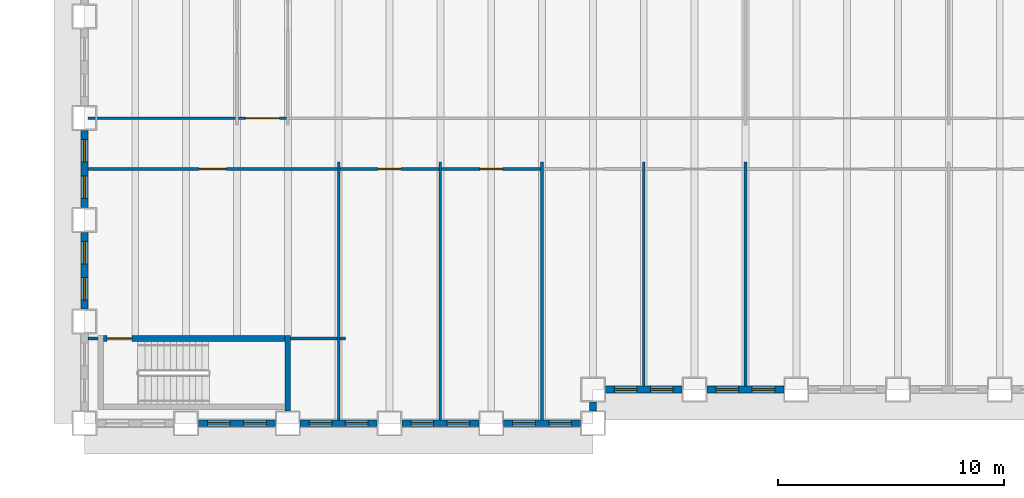
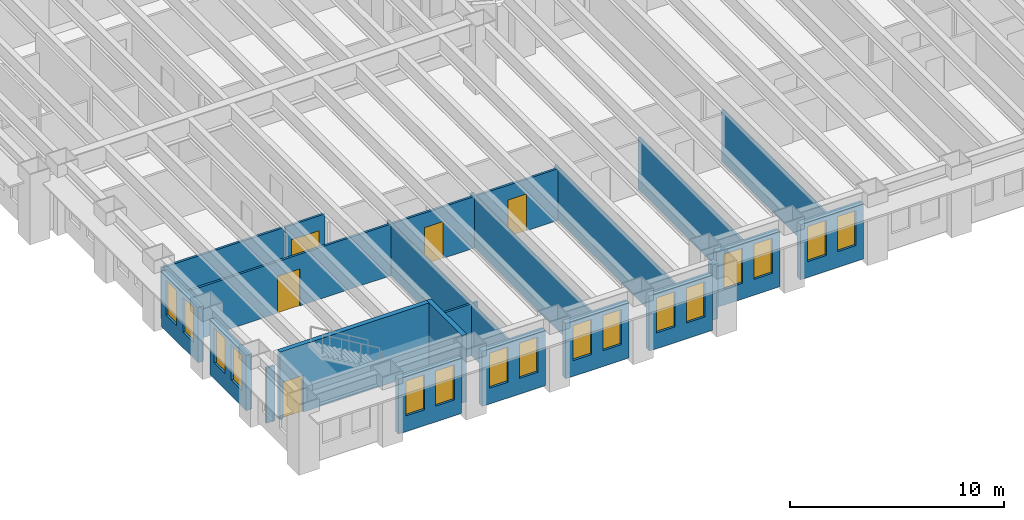
# One storey, part 3 of 16: 24 walls, 16 windows, 5 doors, 21 openings.
"""IFC4 building model written with IfcOpenShell, lengths in metres."""

from ifc_helpers import new_model, si_unit, direction, frame, frame_2d, origin, place, context, subcontext, project, spatial, rectangle, extrude, material, layer, layer_set, type_object, element, fill, save


model = new_model("IFC4")

# Units and contexts
model_context = context("Model", 3, precision=1e-05, world=origin(), true_north=direction((0.0, 1.0)))
body_context = subcontext(model_context, "Body", "Model", "MODEL_VIEW")
ifc_project = project(units=[si_unit("LENGTHUNIT", "METRE"), si_unit("AREAUNIT", "SQUARE_METRE"), si_unit("VOLUMEUNIT", "CUBIC_METRE"), si_unit("PLANEANGLEUNIT", "RADIAN"), si_unit("MASSUNIT", "GRAM", prefix="KILO")], contexts=[model_context])

# Site, building, storey
site_placement = place(None, origin())
site = spatial("IfcSite", under=ifc_project, at=site_placement, CompositionType="ELEMENT")
building_placement = place(site_placement, origin())
building = spatial("IfcBuilding", under=site, at=building_placement, Name="Sennacour Bend Tower", CompositionType="ELEMENT")
storey_placement = place(building_placement, frame((0.0, 0.0, 45.0)))
storey = spatial("IfcBuildingStorey", under=building, at=storey_placement, Name="L09", CompositionType="ELEMENT", Elevation=45.0)

# Walls
ifc_material_1 = material(Name="Plasterboard partition on steel studs", Category="steel")
ifc_layer_1 = layer(ifc_material_1, 0.1201171875, Name="Plasterboard partition on steel studs", Category="steel")
ifc_layer_set_1 = layer_set([ifc_layer_1], Name="Plasterboard partition on steel studs")
wall_type_1 = type_object("IfcWallType", Name="Partition 120", PredefinedType="PARTITIONING", material=ifc_layer_set_1)
for number, where, z_axis, x_axis, name in (
    (1, (11.25, 0.14990234375, 0.0), (0.0, 0.0, 1.0), (0.0, 1.0, 0.0), "P-L09-W014a"),
    (2, (15.75, 0.14990234375, 0.0), (0.0, 0.0, 1.0), (0.0, 1.0, 0.0), "P-L09-W019a"),
    (3, (20.25, 0.14990234375, 0.0), (0.0, 0.0, 1.0), (0.0, 1.0, 0.0), "P-L09-W023a"),
):
    element("IfcWall", number, at=place(storey_placement, frame(where, z_axis=z_axis, x_axis=x_axis)), inside=storey, type_object=wall_type_1, Name=name, PredefinedType="PARTITIONING", context=body_context, shape_type="SweptSolid", body=[
        extrude(rectangle(XDim=11.400146484375, YDim=0.1201171875, at=frame_2d((5.7001953125, 0.0))), origin(), (0.0, 0.0, 1.0), 2.93798828125),
    ])
for number, where, z_axis, x_axis, name in (
    (4, (24.75, 1.64990234375, 0.0), (0.0, 0.0, 1.0), (0.0, 1.0, 0.0), "P-L09-W025a"),
    (5, (29.25, 1.64990234375, 0.0), (0.0, 0.0, 1.0), (0.0, 1.0, 0.0), "P-L09-W026a"),
):
    element("IfcWall", number, at=place(storey_placement, frame(where, z_axis=z_axis, x_axis=x_axis)), inside=storey, type_object=wall_type_1, Name=name, PredefinedType="PARTITIONING", context=body_context, shape_type="SweptSolid", body=[
        extrude(rectangle(XDim=9.900146484375, YDim=0.1201171875, at=frame_2d((4.9501953125, 0.0))), origin(), (0.0, 0.0, 1.0), 2.93798828125),
    ])
wall_1_placement = place(storey_placement, frame((0.14990234375, 3.75, 0.0), z_axis=(0.0, 0.0, 1.0), x_axis=(1.0, 0.0, 0.0)))
element("IfcWall", 6, at=wall_1_placement, inside=storey, type_object=wall_type_1, Name="P-L09-W052a", PredefinedType="PARTITIONING", context=body_context, shape_type="SweptSolid", body=[
    extrude(rectangle(XDim=0.4501953125, YDim=0.1201171875, at=frame_2d((0.22509765625, 0.0))), origin(), (0.0, 0.0, 1.0), 3.14404296875),
])
wall_2_placement = place(storey_placement, frame((9.125, 3.75, 0.0), z_axis=(0.0, 0.0, 1.0), x_axis=(1.0, 0.0, 0.0)))
element("IfcWall", 7, at=wall_2_placement, inside=storey, type_object=wall_type_1, Name="P-L09-W054aa", PredefinedType="PARTITIONING", context=body_context, shape_type="SweptSolid", body=[
    extrude(rectangle(XDim=2.06494140625, YDim=0.1201171875, at=frame_2d((1.032470703125, 0.0))), origin(), (0.0, 0.0, 1.0), 2.93798828125),
])
wall_3_placement = place(storey_placement, frame((11.31005859375, 3.75, 0.0), z_axis=(0.0, 0.0, 1.0), x_axis=(1.0, 0.0, 0.0)))
element("IfcWall", 8, at=wall_3_placement, inside=storey, type_object=wall_type_1, Name="P-L09-W054ab", PredefinedType="PARTITIONING", context=body_context, shape_type="SweptSolid", body=[
    extrude(rectangle(XDim=0.239990234375, YDim=0.1201171875, at=frame_2d((0.1201171875, 0.0))), origin(), (0.0, 0.0, 1.0), 2.93798828125),
])

# Wall, opening, door
wall_4_placement = place(storey_placement, frame((11.31005859375, 11.25, 0.0), z_axis=(0.0, 0.0, 1.0), x_axis=(1.0, 0.0, 0.0)))
wall_4 = element("IfcWall", 9, at=wall_4_placement, inside=storey, type_object=wall_type_1, Name="P-L09-W059ab", PredefinedType="PARTITIONING", context=body_context, shape_type="SweptSolid", body=[
    extrude(rectangle(XDim=4.3798828125, YDim=0.1201171875, at=frame_2d((2.18994140625, 0.0))), origin(), (0.0, 0.0, 1.0), 2.93798828125),
])
opening_1_placement = place(wall_4_placement, frame((1.68994140625, 0.0, 0.0)))
opening_1 = element("IfcOpeningElement", 10, at=opening_1_placement, cuts=wall_4, Name="Opening MD2", PredefinedType="OPENING", context=body_context, shape_type="SweptSolid", body=[
    extrude(rectangle(XDim=1.0, YDim=2.10009765625, at=frame_2d((0.5, 1.050048828125))), frame((0.0, 0.070068359375, 0.0), z_axis=(0.0, -1.0, 0.0), x_axis=(1.0, 0.0, 0.0)), (0.0, 0.0, 1.0), 0.14013671875),
])
ifc_material_2 = material(Name="Timber", Category="wood")
door_type_1 = type_object("IfcDoorType", Name="DR-MEETING-1000", OperationType="NOTDEFINED", PredefinedType="DOOR", material=ifc_material_2)
door_1_placement = place(opening_1_placement, origin())
door_1 = element("IfcDoor", 11, at=door_1_placement, inside=storey, type_object=door_type_1, Name="Door", OperationType="SINGLE_SWING_LEFT", OverallHeight=2.10009765625, OverallWidth=1.0, PredefinedType="DOOR", context=body_context, shape_type="SweptSolid", body=[
    extrude(rectangle(XDim=1.0, YDim=2.10009765625, at=frame_2d((0.5, 1.050048828125))), frame((0.0, 0.02490234375, 0.0), z_axis=(0.0, -1.0, 0.0), x_axis=(1.0, 0.0, 0.0)), (0.0, 0.0, 1.0), 0.050048828125),
])
fill(opening_1, door_1)

wall_5_placement = place(storey_placement, frame((15.81005859375, 11.25, 0.0), z_axis=(0.0, 0.0, 1.0), x_axis=(1.0, 0.0, 0.0)))
wall_5 = element("IfcWall", 12, at=wall_5_placement, inside=storey, type_object=wall_type_1, Name="P-L09-W059ac", PredefinedType="PARTITIONING", context=body_context, shape_type="SweptSolid", body=[
    extrude(rectangle(XDim=4.3798828125, YDim=0.1201171875, at=frame_2d((2.18994140625, 0.0))), origin(), (0.0, 0.0, 1.0), 2.93798828125),
])
opening_2_placement = place(wall_5_placement, frame((1.68994140625, 0.0, 0.0)))
opening_2 = element("IfcOpeningElement", 13, at=opening_2_placement, cuts=wall_5, Name="Opening OD2", PredefinedType="OPENING", context=body_context, shape_type="SweptSolid", body=[
    extrude(rectangle(XDim=1.0, YDim=2.10009765625, at=frame_2d((0.5, 1.050048828125))), frame((0.0, 0.070068359375, 0.0), z_axis=(0.0, -1.0, 0.0), x_axis=(1.0, 0.0, 0.0)), (0.0, 0.0, 1.0), 0.14013671875),
])
door_type_2 = type_object("IfcDoorType", Name="DR-OFFICE-1000", OperationType="NOTDEFINED", PredefinedType="DOOR", material=ifc_material_2)
door_2_placement = place(opening_2_placement, origin())
door_2 = element("IfcDoor", 14, at=door_2_placement, inside=storey, type_object=door_type_2, Name="Door", OperationType="SINGLE_SWING_LEFT", OverallHeight=2.10009765625, OverallWidth=1.0, PredefinedType="DOOR", context=body_context, shape_type="SweptSolid", body=[
    extrude(rectangle(XDim=1.0, YDim=2.10009765625, at=frame_2d((0.5, 1.050048828125))), frame((0.0, 0.02490234375, 0.0), z_axis=(0.0, -1.0, 0.0), x_axis=(1.0, 0.0, 0.0)), (0.0, 0.0, 1.0), 0.050048828125),
])
fill(opening_2, door_2)

# Wall
wall_6_placement = place(storey_placement, frame((0.14990234375, 13.5, 0.0), z_axis=(0.0, 0.0, 1.0), x_axis=(1.0, 0.0, 0.0)))
element("IfcWall", 15, at=wall_6_placement, inside=storey, type_object=wall_type_1, Name="P-L09-W061aa", PredefinedType="PARTITIONING", context=body_context, shape_type="SweptSolid", body=[
    extrude(rectangle(XDim=6.5400390625, YDim=0.1201171875, at=frame_2d((3.27001953125, 0.0))), origin(), (0.0, 0.0, 1.0), 2.93798828125),
])

# Wall, opening, door
ifc_layer_2 = layer(ifc_material_1, 0.1201171875, Name="Plasterboard partition on steel studs", Category="steel")
ifc_layer_set_2 = layer_set([ifc_layer_2], Name="Plasterboard partition on steel studs")
wall_type_2 = type_object("IfcWallType", Name="Partition 120 EI 30", PredefinedType="PARTITIONING", material=ifc_layer_set_2)
wall_7_placement = place(storey_placement, frame((0.14990234375, 11.25, 0.0), z_axis=(0.0, 0.0, 1.0), x_axis=(1.0, 0.0, 0.0)))
wall_7 = element("IfcWall", 16, at=wall_7_placement, inside=storey, type_object=wall_type_2, Name="P-L09-W059aa", PredefinedType="PARTITIONING", context=body_context, shape_type="SweptSolid", body=[
    extrude(rectangle(XDim=11.0400390625, YDim=0.1201171875, at=frame_2d((5.52001953125, 0.0))), origin(), (0.0, 0.0, 1.0), 2.93798828125),
])
opening_3_placement = place(wall_7_placement, frame((4.93017578125, 0.0, 0.0)))
opening_3 = element("IfcOpeningElement", 17, at=opening_3_placement, cuts=wall_7, Name="Opening KD2", PredefinedType="OPENING", context=body_context, shape_type="SweptSolid", body=[
    extrude(rectangle(XDim=1.199951171875, YDim=2.10009765625, at=frame_2d((0.60009765625, 1.050048828125))), frame((0.0, 0.070068359375, 0.0), z_axis=(0.0, -1.0, 0.0), x_axis=(1.0, 0.0, 0.0)), (0.0, 0.0, 1.0), 0.14013671875),
])
ifc_material_3 = material(Name="Painted steel", Category="steel")
door_type_3 = type_object("IfcDoorType", Name="DR-CORRIDOR-1200", OperationType="NOTDEFINED", PredefinedType="DOOR", material=ifc_material_3)
door_3_placement = place(opening_3_placement, origin())
door_3 = element("IfcDoor", 18, at=door_3_placement, inside=storey, type_object=door_type_3, Name="Door", OperationType="SINGLE_SWING_LEFT", OverallHeight=2.10009765625, OverallWidth=1.199951171875, PredefinedType="DOOR", context=body_context, shape_type="SweptSolid", body=[
    extrude(rectangle(XDim=1.199951171875, YDim=2.10009765625, at=frame_2d((0.60009765625, 1.050048828125))), frame((0.0, 0.02490234375, 0.0), z_axis=(0.0, -1.0, 0.0), x_axis=(1.0, 0.0, 0.0)), (0.0, 0.0, 1.0), 0.050048828125),
])
fill(opening_3, door_3)

wall_8_placement = place(storey_placement, frame((6.81005859375, 13.5, 0.0), z_axis=(0.0, 0.0, 1.0), x_axis=(1.0, 0.0, 0.0)))
wall_8 = element("IfcWall", 19, at=wall_8_placement, inside=storey, type_object=wall_type_2, Name="P-L09-W061ab", PredefinedType="PARTITIONING", context=body_context, shape_type="SweptSolid", body=[
    extrude(rectangle(XDim=2.1298828125, YDim=0.1201171875, at=frame_2d((1.06494140625, 0.0))), origin(), (0.0, 0.0, 1.0), 2.93798828125),
])
opening_4_placement = place(wall_8_placement, frame((0.31494140625, 0.0, 0.0)))
opening_4 = element("IfcOpeningElement", 20, at=opening_4_placement, cuts=wall_8, Name="Opening KD", PredefinedType="OPENING", context=body_context, shape_type="SweptSolid", body=[
    extrude(rectangle(XDim=1.5, YDim=2.10009765625, at=frame_2d((0.75, 1.050048828125))), frame((0.0, 0.070068359375, 0.0), z_axis=(0.0, -1.0, 0.0), x_axis=(1.0, 0.0, 0.0)), (0.0, 0.0, 1.0), 0.14013671875),
])
door_type_4 = type_object("IfcDoorType", Name="DR-CORRIDOR-1500", OperationType="NOTDEFINED", PredefinedType="DOOR", material=ifc_material_3)
door_4_placement = place(opening_4_placement, origin())
door_4 = element("IfcDoor", 21, at=door_4_placement, inside=storey, type_object=door_type_4, Name="Door", OperationType="SINGLE_SWING_LEFT", OverallHeight=2.10009765625, OverallWidth=1.5, PredefinedType="DOOR", context=body_context, shape_type="SweptSolid", body=[
    extrude(rectangle(XDim=1.5, YDim=2.10009765625, at=frame_2d((0.75, 1.050048828125))), frame((0.0, 0.02490234375, 0.0), z_axis=(0.0, -1.0, 0.0), x_axis=(1.0, 0.0, 0.0)), (0.0, 0.0, 1.0), 0.050048828125),
])
fill(opening_4, door_4)

# Wall, openings, windows
ifc_material_4 = material(Name="Warm limestone cladding", Category="masonry")
ifc_layer_3 = layer(ifc_material_4, 0.050048828125, Name="Warm limestone cladding", Category="masonry")
ifc_material_5 = material(Name="Precast concrete C40/50", Category="concrete")
ifc_layer_4 = layer(ifc_material_5, 0.25, Name="Precast concrete C40/50", Category="concrete")
ifc_layer_set_3 = layer_set([ifc_layer_3, ifc_layer_4], Name="Precast concrete C40/50 with limestone cladding")
wall_type_3 = type_object("IfcWallType", Name="STONE-CLAD PRECAST SPANDREL 300", PredefinedType="STANDARD", material=ifc_layer_set_3)
wall_9_placement = place(storey_placement, frame((5.050048828125, 0.0, 0.0), z_axis=(0.0, 0.0, 1.0), x_axis=(1.0, 0.0, 0.0)))
wall_9 = element("IfcWall", 22, at=wall_9_placement, inside=storey, type_object=wall_type_3, Name="Stone spandrel and pier wall L09 00.01", PredefinedType="STANDARD", context=body_context, shape_type="SweptSolid", body=[
    extrude(rectangle(XDim=3.39990234375, YDim=0.300048828125, at=frame_2d((1.699951171875, 0.0))), origin(), (0.0, 0.0, 1.0), 3.14404296875),
])
opening_5_placement = place(wall_9_placement, frame((0.39990234375, 0.0, 0.89990234375)))
opening_5 = element("IfcOpeningElement", 23, at=opening_5_placement, cuts=wall_9, Name="Opening W8", PredefinedType="OPENING", context=body_context, shape_type="SweptSolid", body=[
    extrude(rectangle(XDim=1.0, YDim=2.0, at=frame_2d((0.5, 1.0))), frame((0.0, 0.16015625, 0.0), z_axis=(0.0, -1.0, 0.0), x_axis=(1.0, 0.0, 0.0)), (0.0, 0.0, 1.0), 0.320068359375),
])
opening_6_placement = place(wall_9_placement, frame((2.0, 0.0, 0.89990234375)))
opening_6 = element("IfcOpeningElement", 24, at=opening_6_placement, cuts=wall_9, Name="Opening W8", PredefinedType="OPENING", context=body_context, shape_type="SweptSolid", body=[
    extrude(rectangle(XDim=1.0, YDim=2.0, at=frame_2d((0.5, 1.0))), frame((0.0, 0.16015625, 0.0), z_axis=(0.0, -1.0, 0.0), x_axis=(1.0, 0.0, 0.0)), (0.0, 0.0, 1.0), 0.320068359375),
])
ifc_material_6 = material(Name="Clear low-emissivity glass", Category="glass")
window_type = type_object("IfcWindowType", Name="WIN-RIBBON-1000x2000", PartitioningType="SINGLE_PANEL", PredefinedType="WINDOW", material=ifc_material_6)
window_1_placement = place(opening_5_placement, origin())
window_1 = element("IfcWindow", 25, at=window_1_placement, inside=storey, type_object=window_type, Name="Ribbon window L09 00.01.0", OverallHeight=2.0, OverallWidth=1.0, PartitioningType="SINGLE_PANEL", PredefinedType="WINDOW", context=body_context, shape_type="SweptSolid", body=[
    extrude(rectangle(XDim=1.0, YDim=2.0, at=frame_2d((0.5, 1.0))), frame((0.0, 0.030029296875, 0.0), z_axis=(0.0, -1.0, 0.0), x_axis=(1.0, 0.0, 0.0)), (0.0, 0.0, 1.0), 0.06005859375),
])
fill(opening_5, window_1)
window_2_placement = place(opening_6_placement, origin())
window_2 = element("IfcWindow", 26, at=window_2_placement, inside=storey, type_object=window_type, Name="Ribbon window L09 00.01.1", OverallHeight=2.0, OverallWidth=1.0, PartitioningType="SINGLE_PANEL", PredefinedType="WINDOW", context=body_context, shape_type="SweptSolid", body=[
    extrude(rectangle(XDim=1.0, YDim=2.0, at=frame_2d((0.5, 1.0))), frame((0.0, 0.030029296875, 0.0), z_axis=(0.0, -1.0, 0.0), x_axis=(1.0, 0.0, 0.0)), (0.0, 0.0, 1.0), 0.06005859375),
])
fill(opening_6, window_2)

wall_10_placement = place(storey_placement, frame((9.550048828125, 0.0, 0.0), z_axis=(0.0, 0.0, 1.0), x_axis=(1.0, 0.0, 0.0)))
wall_10 = element("IfcWall", 27, at=wall_10_placement, inside=storey, type_object=wall_type_3, Name="Stone spandrel and pier wall L09 00.02", PredefinedType="STANDARD", context=body_context, shape_type="SweptSolid", body=[
    extrude(rectangle(XDim=3.39990234375, YDim=0.300048828125, at=frame_2d((1.699951171875, 0.0))), origin(), (0.0, 0.0, 1.0), 3.14404296875),
])
opening_7_placement = place(wall_10_placement, frame((0.39990234375, 0.0, 0.89990234375)))
opening_7 = element("IfcOpeningElement", 28, at=opening_7_placement, cuts=wall_10, Name="Opening W8", PredefinedType="OPENING", context=body_context, shape_type="SweptSolid", body=[
    extrude(rectangle(XDim=1.0, YDim=2.0, at=frame_2d((0.5, 1.0))), frame((0.0, 0.16015625, 0.0), z_axis=(0.0, -1.0, 0.0), x_axis=(1.0, 0.0, 0.0)), (0.0, 0.0, 1.0), 0.320068359375),
])
opening_8_placement = place(wall_10_placement, frame((2.0, 0.0, 0.89990234375)))
opening_8 = element("IfcOpeningElement", 29, at=opening_8_placement, cuts=wall_10, Name="Opening W8", PredefinedType="OPENING", context=body_context, shape_type="SweptSolid", body=[
    extrude(rectangle(XDim=1.0, YDim=2.0, at=frame_2d((0.5, 1.0))), frame((0.0, 0.16015625, 0.0), z_axis=(0.0, -1.0, 0.0), x_axis=(1.0, 0.0, 0.0)), (0.0, 0.0, 1.0), 0.320068359375),
])
window_3_placement = place(opening_7_placement, origin())
window_3 = element("IfcWindow", 30, at=window_3_placement, inside=storey, type_object=window_type, Name="Ribbon window L09 00.02.0", OverallHeight=2.0, OverallWidth=1.0, PartitioningType="SINGLE_PANEL", PredefinedType="WINDOW", context=body_context, shape_type="SweptSolid", body=[
    extrude(rectangle(XDim=1.0, YDim=2.0, at=frame_2d((0.5, 1.0))), frame((0.0, 0.030029296875, 0.0), z_axis=(0.0, -1.0, 0.0), x_axis=(1.0, 0.0, 0.0)), (0.0, 0.0, 1.0), 0.06005859375),
])
fill(opening_7, window_3)
window_4_placement = place(opening_8_placement, origin())
window_4 = element("IfcWindow", 31, at=window_4_placement, inside=storey, type_object=window_type, Name="Ribbon window L09 00.02.1", OverallHeight=2.0, OverallWidth=1.0, PartitioningType="SINGLE_PANEL", PredefinedType="WINDOW", context=body_context, shape_type="SweptSolid", body=[
    extrude(rectangle(XDim=1.0, YDim=2.0, at=frame_2d((0.5, 1.0))), frame((0.0, 0.030029296875, 0.0), z_axis=(0.0, -1.0, 0.0), x_axis=(1.0, 0.0, 0.0)), (0.0, 0.0, 1.0), 0.06005859375),
])
fill(opening_8, window_4)

wall_11_placement = place(storey_placement, frame((14.050048828125, 0.0, 0.0), z_axis=(0.0, 0.0, 1.0), x_axis=(1.0, 0.0, 0.0)))
wall_11 = element("IfcWall", 32, at=wall_11_placement, inside=storey, type_object=wall_type_3, Name="Stone spandrel and pier wall L09 00.03", PredefinedType="STANDARD", context=body_context, shape_type="SweptSolid", body=[
    extrude(rectangle(XDim=3.39990234375, YDim=0.300048828125, at=frame_2d((1.699951171875, 0.0))), origin(), (0.0, 0.0, 1.0), 3.14404296875),
])
opening_9_placement = place(wall_11_placement, frame((0.39990234375, 0.0, 0.89990234375)))
opening_9 = element("IfcOpeningElement", 33, at=opening_9_placement, cuts=wall_11, Name="Opening W8", PredefinedType="OPENING", context=body_context, shape_type="SweptSolid", body=[
    extrude(rectangle(XDim=1.0, YDim=2.0, at=frame_2d((0.5, 1.0))), frame((0.0, 0.16015625, 0.0), z_axis=(0.0, -1.0, 0.0), x_axis=(1.0, 0.0, 0.0)), (0.0, 0.0, 1.0), 0.320068359375),
])
opening_10_placement = place(wall_11_placement, frame((2.0, 0.0, 0.89990234375)))
opening_10 = element("IfcOpeningElement", 34, at=opening_10_placement, cuts=wall_11, Name="Opening W8", PredefinedType="OPENING", context=body_context, shape_type="SweptSolid", body=[
    extrude(rectangle(XDim=1.0, YDim=2.0, at=frame_2d((0.5, 1.0))), frame((0.0, 0.16015625, 0.0), z_axis=(0.0, -1.0, 0.0), x_axis=(1.0, 0.0, 0.0)), (0.0, 0.0, 1.0), 0.320068359375),
])
window_5_placement = place(opening_9_placement, origin())
window_5 = element("IfcWindow", 35, at=window_5_placement, inside=storey, type_object=window_type, Name="Ribbon window L09 00.03.0", OverallHeight=2.0, OverallWidth=1.0, PartitioningType="SINGLE_PANEL", PredefinedType="WINDOW", context=body_context, shape_type="SweptSolid", body=[
    extrude(rectangle(XDim=1.0, YDim=2.0, at=frame_2d((0.5, 1.0))), frame((0.0, 0.030029296875, 0.0), z_axis=(0.0, -1.0, 0.0), x_axis=(1.0, 0.0, 0.0)), (0.0, 0.0, 1.0), 0.06005859375),
])
fill(opening_9, window_5)
window_6_placement = place(opening_10_placement, origin())
window_6 = element("IfcWindow", 36, at=window_6_placement, inside=storey, type_object=window_type, Name="Ribbon window L09 00.03.1", OverallHeight=2.0, OverallWidth=1.0, PartitioningType="SINGLE_PANEL", PredefinedType="WINDOW", context=body_context, shape_type="SweptSolid", body=[
    extrude(rectangle(XDim=1.0, YDim=2.0, at=frame_2d((0.5, 1.0))), frame((0.0, 0.030029296875, 0.0), z_axis=(0.0, -1.0, 0.0), x_axis=(1.0, 0.0, 0.0)), (0.0, 0.0, 1.0), 0.06005859375),
])
fill(opening_10, window_6)

wall_12_placement = place(storey_placement, frame((18.550048828125, 0.0, 0.0), z_axis=(0.0, 0.0, 1.0), x_axis=(1.0, 0.0, 0.0)))
wall_12 = element("IfcWall", 37, at=wall_12_placement, inside=storey, type_object=wall_type_3, Name="Stone spandrel and pier wall L09 00.04", PredefinedType="STANDARD", context=body_context, shape_type="SweptSolid", body=[
    extrude(rectangle(XDim=3.39990234375, YDim=0.300048828125, at=frame_2d((1.699951171875, 0.0))), origin(), (0.0, 0.0, 1.0), 3.14404296875),
])
opening_11_placement = place(wall_12_placement, frame((0.39990234375, 0.0, 0.89990234375)))
opening_11 = element("IfcOpeningElement", 38, at=opening_11_placement, cuts=wall_12, Name="Opening W8", PredefinedType="OPENING", context=body_context, shape_type="SweptSolid", body=[
    extrude(rectangle(XDim=1.0, YDim=2.0, at=frame_2d((0.5, 1.0))), frame((0.0, 0.16015625, 0.0), z_axis=(0.0, -1.0, 0.0), x_axis=(1.0, 0.0, 0.0)), (0.0, 0.0, 1.0), 0.320068359375),
])
opening_12_placement = place(wall_12_placement, frame((2.0, 0.0, 0.89990234375)))
opening_12 = element("IfcOpeningElement", 39, at=opening_12_placement, cuts=wall_12, Name="Opening W8", PredefinedType="OPENING", context=body_context, shape_type="SweptSolid", body=[
    extrude(rectangle(XDim=1.0, YDim=2.0, at=frame_2d((0.5, 1.0))), frame((0.0, 0.16015625, 0.0), z_axis=(0.0, -1.0, 0.0), x_axis=(1.0, 0.0, 0.0)), (0.0, 0.0, 1.0), 0.320068359375),
])
window_7_placement = place(opening_11_placement, origin())
window_7 = element("IfcWindow", 40, at=window_7_placement, inside=storey, type_object=window_type, Name="Ribbon window L09 00.04.0", OverallHeight=2.0, OverallWidth=1.0, PartitioningType="SINGLE_PANEL", PredefinedType="WINDOW", context=body_context, shape_type="SweptSolid", body=[
    extrude(rectangle(XDim=1.0, YDim=2.0, at=frame_2d((0.5, 1.0))), frame((0.0, 0.030029296875, 0.0), z_axis=(0.0, -1.0, 0.0), x_axis=(1.0, 0.0, 0.0)), (0.0, 0.0, 1.0), 0.06005859375),
])
fill(opening_11, window_7)
window_8_placement = place(opening_12_placement, origin())
window_8 = element("IfcWindow", 41, at=window_8_placement, inside=storey, type_object=window_type, Name="Ribbon window L09 00.04.1", OverallHeight=2.0, OverallWidth=1.0, PartitioningType="SINGLE_PANEL", PredefinedType="WINDOW", context=body_context, shape_type="SweptSolid", body=[
    extrude(rectangle(XDim=1.0, YDim=2.0, at=frame_2d((0.5, 1.0))), frame((0.0, 0.030029296875, 0.0), z_axis=(0.0, -1.0, 0.0), x_axis=(1.0, 0.0, 0.0)), (0.0, 0.0, 1.0), 0.06005859375),
])
fill(opening_12, window_8)

# Wall
wall_13_placement = place(storey_placement, frame((22.5, 0.550048828125, 0.0), z_axis=(0.0, 0.0, 1.0), x_axis=(0.0, 1.0, 0.0)))
element("IfcWall", 42, at=wall_13_placement, inside=storey, type_object=wall_type_3, Name="Stone spandrel and pier wall L09 01.00", PredefinedType="STANDARD", context=body_context, shape_type="SweptSolid", body=[
    extrude(rectangle(XDim=0.39990234375, YDim=0.300048828125, at=frame_2d((0.199951171875, 0.0))), origin(), (0.0, 0.0, 1.0), 3.14404296875),
])

# Wall, openings, windows
wall_14_placement = place(storey_placement, frame((23.050048828125, 1.5, 0.0), z_axis=(0.0, 0.0, 1.0), x_axis=(1.0, 0.0, 0.0)))
wall_14 = element("IfcWall", 43, at=wall_14_placement, inside=storey, type_object=wall_type_3, Name="Stone spandrel and pier wall L09 02.00", PredefinedType="STANDARD", context=body_context, shape_type="SweptSolid", body=[
    extrude(rectangle(XDim=3.39990234375, YDim=0.300048828125, at=frame_2d((1.699951171875, 0.0))), origin(), (0.0, 0.0, 1.0), 3.14404296875),
])
opening_13_placement = place(wall_14_placement, frame((0.39990234375, 0.0, 0.89990234375)))
opening_13 = element("IfcOpeningElement", 44, at=opening_13_placement, cuts=wall_14, Name="Opening W8", PredefinedType="OPENING", context=body_context, shape_type="SweptSolid", body=[
    extrude(rectangle(XDim=1.0, YDim=2.0, at=frame_2d((0.5, 1.0))), frame((0.0, 0.16015625, 0.0), z_axis=(0.0, -1.0, 0.0), x_axis=(1.0, 0.0, 0.0)), (0.0, 0.0, 1.0), 0.320068359375),
])
opening_14_placement = place(wall_14_placement, frame((2.0, 0.0, 0.89990234375)))
opening_14 = element("IfcOpeningElement", 45, at=opening_14_placement, cuts=wall_14, Name="Opening W8", PredefinedType="OPENING", context=body_context, shape_type="SweptSolid", body=[
    extrude(rectangle(XDim=1.0, YDim=2.0, at=frame_2d((0.5, 1.0))), frame((0.0, 0.16015625, 0.0), z_axis=(0.0, -1.0, 0.0), x_axis=(1.0, 0.0, 0.0)), (0.0, 0.0, 1.0), 0.320068359375),
])
window_9_placement = place(opening_13_placement, origin())
window_9 = element("IfcWindow", 46, at=window_9_placement, inside=storey, type_object=window_type, Name="Ribbon window L09 02.00.0", OverallHeight=2.0, OverallWidth=1.0, PartitioningType="SINGLE_PANEL", PredefinedType="WINDOW", context=body_context, shape_type="SweptSolid", body=[
    extrude(rectangle(XDim=1.0, YDim=2.0, at=frame_2d((0.5, 1.0))), frame((0.0, 0.030029296875, 0.0), z_axis=(0.0, -1.0, 0.0), x_axis=(1.0, 0.0, 0.0)), (0.0, 0.0, 1.0), 0.06005859375),
])
fill(opening_13, window_9)
window_10_placement = place(opening_14_placement, origin())
window_10 = element("IfcWindow", 47, at=window_10_placement, inside=storey, type_object=window_type, Name="Ribbon window L09 02.00.1", OverallHeight=2.0, OverallWidth=1.0, PartitioningType="SINGLE_PANEL", PredefinedType="WINDOW", context=body_context, shape_type="SweptSolid", body=[
    extrude(rectangle(XDim=1.0, YDim=2.0, at=frame_2d((0.5, 1.0))), frame((0.0, 0.030029296875, 0.0), z_axis=(0.0, -1.0, 0.0), x_axis=(1.0, 0.0, 0.0)), (0.0, 0.0, 1.0), 0.06005859375),
])
fill(opening_14, window_10)

wall_15_placement = place(storey_placement, frame((27.550048828125, 1.5, 0.0), z_axis=(0.0, 0.0, 1.0), x_axis=(1.0, 0.0, 0.0)))
wall_15 = element("IfcWall", 48, at=wall_15_placement, inside=storey, type_object=wall_type_3, Name="Stone spandrel and pier wall L09 02.01", PredefinedType="STANDARD", context=body_context, shape_type="SweptSolid", body=[
    extrude(rectangle(XDim=3.39990234375, YDim=0.300048828125, at=frame_2d((1.699951171875, 0.0))), origin(), (0.0, 0.0, 1.0), 3.14404296875),
])
opening_15_placement = place(wall_15_placement, frame((0.39990234375, 0.0, 0.89990234375)))
opening_15 = element("IfcOpeningElement", 49, at=opening_15_placement, cuts=wall_15, Name="Opening W8", PredefinedType="OPENING", context=body_context, shape_type="SweptSolid", body=[
    extrude(rectangle(XDim=1.0, YDim=2.0, at=frame_2d((0.5, 1.0))), frame((0.0, 0.16015625, 0.0), z_axis=(0.0, -1.0, 0.0), x_axis=(1.0, 0.0, 0.0)), (0.0, 0.0, 1.0), 0.320068359375),
])
opening_16_placement = place(wall_15_placement, frame((2.0, 0.0, 0.89990234375)))
opening_16 = element("IfcOpeningElement", 50, at=opening_16_placement, cuts=wall_15, Name="Opening W8", PredefinedType="OPENING", context=body_context, shape_type="SweptSolid", body=[
    extrude(rectangle(XDim=1.0, YDim=2.0, at=frame_2d((0.5, 1.0))), frame((0.0, 0.16015625, 0.0), z_axis=(0.0, -1.0, 0.0), x_axis=(1.0, 0.0, 0.0)), (0.0, 0.0, 1.0), 0.320068359375),
])
window_11_placement = place(opening_15_placement, origin())
window_11 = element("IfcWindow", 51, at=window_11_placement, inside=storey, type_object=window_type, Name="Ribbon window L09 02.01.0", OverallHeight=2.0, OverallWidth=1.0, PartitioningType="SINGLE_PANEL", PredefinedType="WINDOW", context=body_context, shape_type="SweptSolid", body=[
    extrude(rectangle(XDim=1.0, YDim=2.0, at=frame_2d((0.5, 1.0))), frame((0.0, 0.030029296875, 0.0), z_axis=(0.0, -1.0, 0.0), x_axis=(1.0, 0.0, 0.0)), (0.0, 0.0, 1.0), 0.06005859375),
])
fill(opening_15, window_11)
window_12_placement = place(opening_16_placement, origin())
window_12 = element("IfcWindow", 52, at=window_12_placement, inside=storey, type_object=window_type, Name="Ribbon window L09 02.01.1", OverallHeight=2.0, OverallWidth=1.0, PartitioningType="SINGLE_PANEL", PredefinedType="WINDOW", context=body_context, shape_type="SweptSolid", body=[
    extrude(rectangle(XDim=1.0, YDim=2.0, at=frame_2d((0.5, 1.0))), frame((0.0, 0.030029296875, 0.0), z_axis=(0.0, -1.0, 0.0), x_axis=(1.0, 0.0, 0.0)), (0.0, 0.0, 1.0), 0.06005859375),
])
fill(opening_16, window_12)

wall_16_placement = place(storey_placement, frame((0.0, 12.949951171875, 0.0), z_axis=(0.0, 0.0, 1.0), x_axis=(0.0, -1.0, 0.0)))
wall_16 = element("IfcWall", 53, at=wall_16_placement, inside=storey, type_object=wall_type_3, Name="Stone spandrel and pier wall L09 23.02", PredefinedType="STANDARD", context=body_context, shape_type="SweptSolid", body=[
    extrude(rectangle(XDim=3.39990234375, YDim=0.300048828125, at=frame_2d((1.699951171875, 0.0))), origin(), (0.0, 0.0, 1.0), 3.14404296875),
])
opening_17_placement = place(wall_16_placement, frame((0.39990234375, 0.0, 0.89990234375)))
opening_17 = element("IfcOpeningElement", 54, at=opening_17_placement, cuts=wall_16, Name="Opening W8", PredefinedType="OPENING", context=body_context, shape_type="SweptSolid", body=[
    extrude(rectangle(XDim=1.0, YDim=2.0, at=frame_2d((0.5, 1.0))), frame((0.0, 0.16015625, 0.0), z_axis=(0.0, -1.0, 0.0), x_axis=(1.0, 0.0, 0.0)), (0.0, 0.0, 1.0), 0.320068359375),
])
opening_18_placement = place(wall_16_placement, frame((2.0, 0.0, 0.89990234375)))
opening_18 = element("IfcOpeningElement", 55, at=opening_18_placement, cuts=wall_16, Name="Opening W8", PredefinedType="OPENING", context=body_context, shape_type="SweptSolid", body=[
    extrude(rectangle(XDim=1.0, YDim=2.0, at=frame_2d((0.5, 1.0))), frame((0.0, 0.16015625, 0.0), z_axis=(0.0, -1.0, 0.0), x_axis=(1.0, 0.0, 0.0)), (0.0, 0.0, 1.0), 0.320068359375),
])
window_13_placement = place(opening_17_placement, origin())
window_13 = element("IfcWindow", 56, at=window_13_placement, inside=storey, type_object=window_type, Name="Ribbon window L09 23.02.0", OverallHeight=2.0, OverallWidth=1.0, PartitioningType="SINGLE_PANEL", PredefinedType="WINDOW", context=body_context, shape_type="SweptSolid", body=[
    extrude(rectangle(XDim=1.0, YDim=2.0, at=frame_2d((0.5, 1.0))), frame((0.0, 0.030029296875, 0.0), z_axis=(0.0, -1.0, 0.0), x_axis=(1.0, 0.0, 0.0)), (0.0, 0.0, 1.0), 0.06005859375),
])
fill(opening_17, window_13)
window_14_placement = place(opening_18_placement, origin())
window_14 = element("IfcWindow", 57, at=window_14_placement, inside=storey, type_object=window_type, Name="Ribbon window L09 23.02.1", OverallHeight=2.0, OverallWidth=1.0, PartitioningType="SINGLE_PANEL", PredefinedType="WINDOW", context=body_context, shape_type="SweptSolid", body=[
    extrude(rectangle(XDim=1.0, YDim=2.0, at=frame_2d((0.5, 1.0))), frame((0.0, 0.030029296875, 0.0), z_axis=(0.0, -1.0, 0.0), x_axis=(1.0, 0.0, 0.0)), (0.0, 0.0, 1.0), 0.06005859375),
])
fill(opening_18, window_14)

wall_17_placement = place(storey_placement, frame((0.0, 8.449951171875, 0.0), z_axis=(0.0, 0.0, 1.0), x_axis=(0.0, -1.0, 0.0)))
wall_17 = element("IfcWall", 58, at=wall_17_placement, inside=storey, type_object=wall_type_3, Name="Stone spandrel and pier wall L09 23.03", PredefinedType="STANDARD", context=body_context, shape_type="SweptSolid", body=[
    extrude(rectangle(XDim=3.39990234375, YDim=0.300048828125, at=frame_2d((1.699951171875, 0.0))), origin(), (0.0, 0.0, 1.0), 3.14404296875),
])
opening_19_placement = place(wall_17_placement, frame((0.39990234375, 0.0, 0.89990234375)))
opening_19 = element("IfcOpeningElement", 59, at=opening_19_placement, cuts=wall_17, Name="Opening W8", PredefinedType="OPENING", context=body_context, shape_type="SweptSolid", body=[
    extrude(rectangle(XDim=1.0, YDim=2.0, at=frame_2d((0.5, 1.0))), frame((0.0, 0.16015625, 0.0), z_axis=(0.0, -1.0, 0.0), x_axis=(1.0, 0.0, 0.0)), (0.0, 0.0, 1.0), 0.320068359375),
])
opening_20_placement = place(wall_17_placement, frame((2.0, 0.0, 0.89990234375)))
opening_20 = element("IfcOpeningElement", 60, at=opening_20_placement, cuts=wall_17, Name="Opening W8", PredefinedType="OPENING", context=body_context, shape_type="SweptSolid", body=[
    extrude(rectangle(XDim=1.0, YDim=2.0, at=frame_2d((0.5, 1.0))), frame((0.0, 0.16015625, 0.0), z_axis=(0.0, -1.0, 0.0), x_axis=(1.0, 0.0, 0.0)), (0.0, 0.0, 1.0), 0.320068359375),
])
window_15_placement = place(opening_19_placement, origin())
window_15 = element("IfcWindow", 61, at=window_15_placement, inside=storey, type_object=window_type, Name="Ribbon window L09 23.03.0", OverallHeight=2.0, OverallWidth=1.0, PartitioningType="SINGLE_PANEL", PredefinedType="WINDOW", context=body_context, shape_type="SweptSolid", body=[
    extrude(rectangle(XDim=1.0, YDim=2.0, at=frame_2d((0.5, 1.0))), frame((0.0, 0.030029296875, 0.0), z_axis=(0.0, -1.0, 0.0), x_axis=(1.0, 0.0, 0.0)), (0.0, 0.0, 1.0), 0.06005859375),
])
fill(opening_19, window_15)
window_16_placement = place(opening_20_placement, origin())
window_16 = element("IfcWindow", 62, at=window_16_placement, inside=storey, type_object=window_type, Name="Ribbon window L09 23.03.1", OverallHeight=2.0, OverallWidth=1.0, PartitioningType="SINGLE_PANEL", PredefinedType="WINDOW", context=body_context, shape_type="SweptSolid", body=[
    extrude(rectangle(XDim=1.0, YDim=2.0, at=frame_2d((0.5, 1.0))), frame((0.0, 0.030029296875, 0.0), z_axis=(0.0, -1.0, 0.0), x_axis=(1.0, 0.0, 0.0)), (0.0, 0.0, 1.0), 0.06005859375),
])
fill(opening_20, window_16)

# Wall
ifc_material_7 = material(Name="Concrete C60/75", Category="concrete")
ifc_layer_5 = layer(ifc_material_7, 0.25, Name="Concrete C60/75", Category="concrete")
ifc_layer_set_4 = layer_set([ifc_layer_5], Name="Concrete C60/75")
wall_type_4 = type_object("IfcWallType", Name="Stair wall 250", PredefinedType="SHEAR", material=ifc_layer_set_4)
wall_18_placement = place(storey_placement, frame((9.0, 0.550048828125, 0.0), z_axis=(0.0, 0.0, 1.0), x_axis=(0.0, 1.0, 0.0)))
element("IfcWall", 63, at=wall_18_placement, inside=storey, type_object=wall_type_4, Name="P-L09-W011", PredefinedType="SHEAR", context=body_context, shape_type="SweptSolid", body=[
    extrude(rectangle(XDim=3.324951171875, YDim=0.25, at=frame_2d((1.66259765625, 0.0))), origin(), (0.0, 0.0, 1.0), 3.85009765625),
])

# Wall, opening, door
wall_19_placement = place(storey_placement, frame((0.85009765625, 3.75, 0.0), z_axis=(0.0, 0.0, 1.0), x_axis=(1.0, 0.0, 0.0)))
wall_19 = element("IfcWall", 64, at=wall_19_placement, inside=storey, type_object=wall_type_4, Name="P-L09-W053", PredefinedType="SHEAR", context=body_context, shape_type="SweptSolid", body=[
    extrude(rectangle(XDim=8.02490234375, YDim=0.25, at=frame_2d((4.012451171875, 0.0))), origin(), (0.0, 0.0, 1.0), 3.85009765625),
])
opening_21_placement = place(wall_19_placement, frame((0.14990234375, 0.0, 0.0)))
opening_21 = element("IfcOpeningElement", 65, at=opening_21_placement, cuts=wall_19, Name="Opening SD", PredefinedType="OPENING", context=body_context, shape_type="SweptSolid", body=[
    extrude(rectangle(XDim=1.10009765625, YDim=2.10009765625, at=frame_2d((0.550048828125, 1.050048828125))), frame((0.0, 0.135009765625, 0.0), z_axis=(0.0, -1.0, 0.0), x_axis=(1.0, 0.0, 0.0)), (0.0, 0.0, 1.0), 0.27001953125),
])
door_type_5 = type_object("IfcDoorType", Name="DR-STAIR-1100", OperationType="NOTDEFINED", PredefinedType="DOOR", material=ifc_material_3)
door_5_placement = place(opening_21_placement, origin())
door_5 = element("IfcDoor", 66, at=door_5_placement, inside=storey, type_object=door_type_5, Name="Door", OperationType="SINGLE_SWING_LEFT", OverallHeight=2.10009765625, OverallWidth=1.10009765625, PredefinedType="DOOR", context=body_context, shape_type="SweptSolid", body=[
    extrude(rectangle(XDim=1.10009765625, YDim=2.10009765625, at=frame_2d((0.550048828125, 1.050048828125))), frame((0.0, 0.02490234375, 0.0), z_axis=(0.0, -1.0, 0.0), x_axis=(1.0, 0.0, 0.0)), (0.0, 0.0, 1.0), 0.050048828125),
])
fill(opening_21, door_5)

save(model, "model.ifc")
